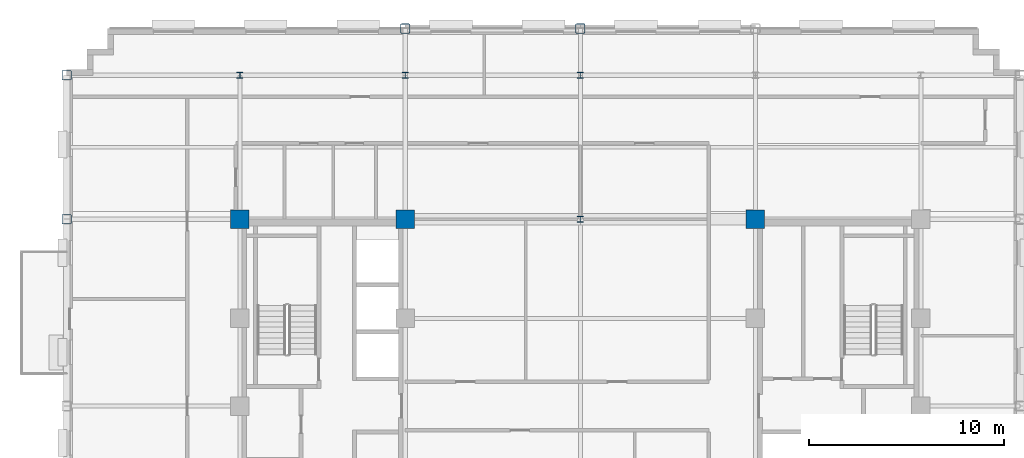
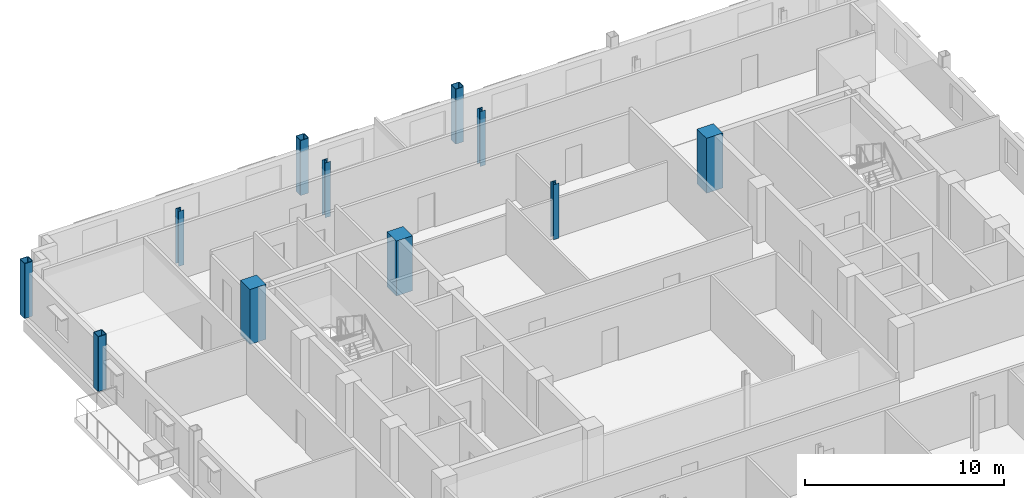
# One storey, part 3 of 15: 11 columns.
"""IFC4 building model written with IfcOpenShell, lengths in metres."""

from ifc_helpers import new_model, si_unit, direction, frame, origin, origin_2d, place, context, subcontext, project, spatial, rectangle, hollow_rectangle, i_section, extrude, material, material_profile, profile_set, type_object, element, save


model = new_model("IFC4")

# Units and contexts
model_context = context("Model", 3, precision=1e-05, world=origin(), true_north=direction((0.0, 1.0)))
body_context = subcontext(model_context, "Body", "Model", "MODEL_VIEW")
ifc_project = project(units=[si_unit("LENGTHUNIT", "METRE"), si_unit("AREAUNIT", "SQUARE_METRE"), si_unit("VOLUMEUNIT", "CUBIC_METRE"), si_unit("PLANEANGLEUNIT", "RADIAN"), si_unit("MASSUNIT", "GRAM", prefix="KILO")], contexts=[model_context])

# Site, building, storey
site_placement = place(None, origin())
site = spatial("IfcSite", under=ifc_project, at=site_placement, CompositionType="ELEMENT")
building_placement = place(site_placement, origin())
building = spatial("IfcBuilding", under=site, at=building_placement, Name="Nuvemarco Arch Tower", CompositionType="ELEMENT")
storey_placement = place(building_placement, frame((0.0, 0.0, 194.550048828125)))
storey = spatial("IfcBuildingStorey", under=building, at=storey_placement, Name="L51", CompositionType="ELEMENT", Elevation=194.550048828125)

# Columns
ifc_material_1 = material(Name="Concrete C50/60", Category="concrete")
ifc_material_profile_1 = material_profile(ifc_material_1, rectangle(XDim=0.949951171875, YDim=0.949951171875, at=origin_2d()), Name="RC-COL-950x950")
ifc_profile_set_1 = profile_set([ifc_material_profile_1], Name="Concrete C50/60")
column_type_1 = type_object("IfcColumnType", Name="COL-CORE-950", PredefinedType="COLUMN", material=ifc_profile_set_1)
for number, where, z_axis, x_axis, name in (
    (1, (-17.5, 9.60009765625, 0.0), (0.0, 0.0, 1.0), (1.0, 0.0, 0.0), "L51 column CC_-17.5_+9.6"),
    (2, (-9.0, 9.60009765625, 0.0), (0.0, 0.0, 1.0), (1.0, 0.0, 0.0), "L51 column CC_-9.0_+9.6"),
    (3, (9.0, 9.60009765625, 0.0), (0.0, 0.0, 1.0), (1.0, 0.0, 0.0), "L51 column CC_+9.0_+9.6"),
):
    element("IfcColumn", number, at=place(storey_placement, frame(where, z_axis=z_axis, x_axis=x_axis)), inside=storey, type_object=column_type_1, Name=name, PredefinedType="COLUMN", context=body_context, shape_type="SweptSolid", body=[
        extrude(rectangle(XDim=0.949951171875, YDim=0.949951171875, at=origin_2d()), origin(), (0.0, 0.0, 1.0), 3.369873046875),
    ])
ifc_material_2 = material(Name="Steel S355", Category="steel")
ifc_material_profile_2 = material_profile(ifc_material_2, hollow_rectangle(XDim=0.5, YDim=0.5, WallThickness=0.031982421875, InnerFilletRadius=0.031982421875, OuterFilletRadius=0.06396484375, at=origin_2d()), Name="SHS500x500x32")
ifc_profile_set_2 = profile_set([ifc_material_profile_2], Name="Steel S355")
column_type_2 = type_object("IfcColumnType", Name="COL-EXO-500", PredefinedType="COLUMN", material=ifc_profile_set_2)
for number, where, z_axis, x_axis, name in (
    (4, (-26.39990234375, 9.60009765625, 0.0), (0.0, 0.0, 1.0), (1.0, 0.0, 0.0), "L51 column CX_-26.4_+9.6"),
    (5, (-26.39990234375, 17.0, 0.0), (0.0, 0.0, 1.0), (1.0, 0.0, 0.0), "L51 column CX_-26.4_+17.0"),
    (6, (-9.0, 19.39990234375, 0.0), (0.0, 0.0, 1.0), (1.0, 0.0, 0.0), "L51 column CY_-9.0_+19.4"),
    (7, (0.0, 19.39990234375, 0.0), (0.0, 0.0, 1.0), (1.0, 0.0, 0.0), "L51 column CY_+0.0_+19.4"),
):
    element("IfcColumn", number, at=place(storey_placement, frame(where, z_axis=z_axis, x_axis=x_axis)), inside=storey, type_object=column_type_2, Name=name, PredefinedType="COLUMN", context=body_context, shape_type="SweptSolid", body=[
        extrude(hollow_rectangle(XDim=0.5, YDim=0.5, WallThickness=0.031982421875, InnerFilletRadius=0.031982421875, OuterFilletRadius=0.06396484375, at=origin_2d()), origin(), (0.0, 0.0, 1.0), 3.369873046875),
    ])
ifc_material_profile_3 = material_profile(ifc_material_2, i_section(OverallWidth=0.31005859375, OverallDepth=0.31005859375, WebThickness=0.015380859375, FlangeThickness=0.015380859375, FilletRadius=0.014892578125, at=origin_2d()), Name="HP310x110")
ifc_profile_set_3 = profile_set([ifc_material_profile_3], Name="Steel S355")
column_type_3 = type_object("IfcColumnType", Name="COL-STL-HP310", PredefinedType="COLUMN", material=ifc_profile_set_3)
for number, where, z_axis, x_axis, name in (
    (8, (0.0, 9.60009765625, 0.0), (0.0, 0.0, 1.0), (1.0, 0.0, 0.0), "L51 column CI_+0.0_+9.6"),
    (9, (0.0, 17.0, 0.0), (0.0, 0.0, 1.0), (1.0, 0.0, 0.0), "L51 column CI_+0.0_+17.0"),
    (10, (-17.5, 17.0, 0.0), (0.0, 0.0, 1.0), (1.0, 0.0, 0.0), "L51 column CI_-17.5_+17.0"),
    (11, (-9.0, 17.0, 0.0), (0.0, 0.0, 1.0), (1.0, 0.0, 0.0), "L51 column CI_-9.0_+17.0"),
):
    element("IfcColumn", number, at=place(storey_placement, frame(where, z_axis=z_axis, x_axis=x_axis)), inside=storey, type_object=column_type_3, Name=name, PredefinedType="COLUMN", context=body_context, shape_type="SweptSolid", body=[
        extrude(i_section(OverallWidth=0.31005859375, OverallDepth=0.31005859375, WebThickness=0.015380859375, FlangeThickness=0.015380859375, FilletRadius=0.014892578125, at=origin_2d()), origin(), (0.0, 0.0, 1.0), 3.369873046875),
    ])

save(model, "model.ifc")
